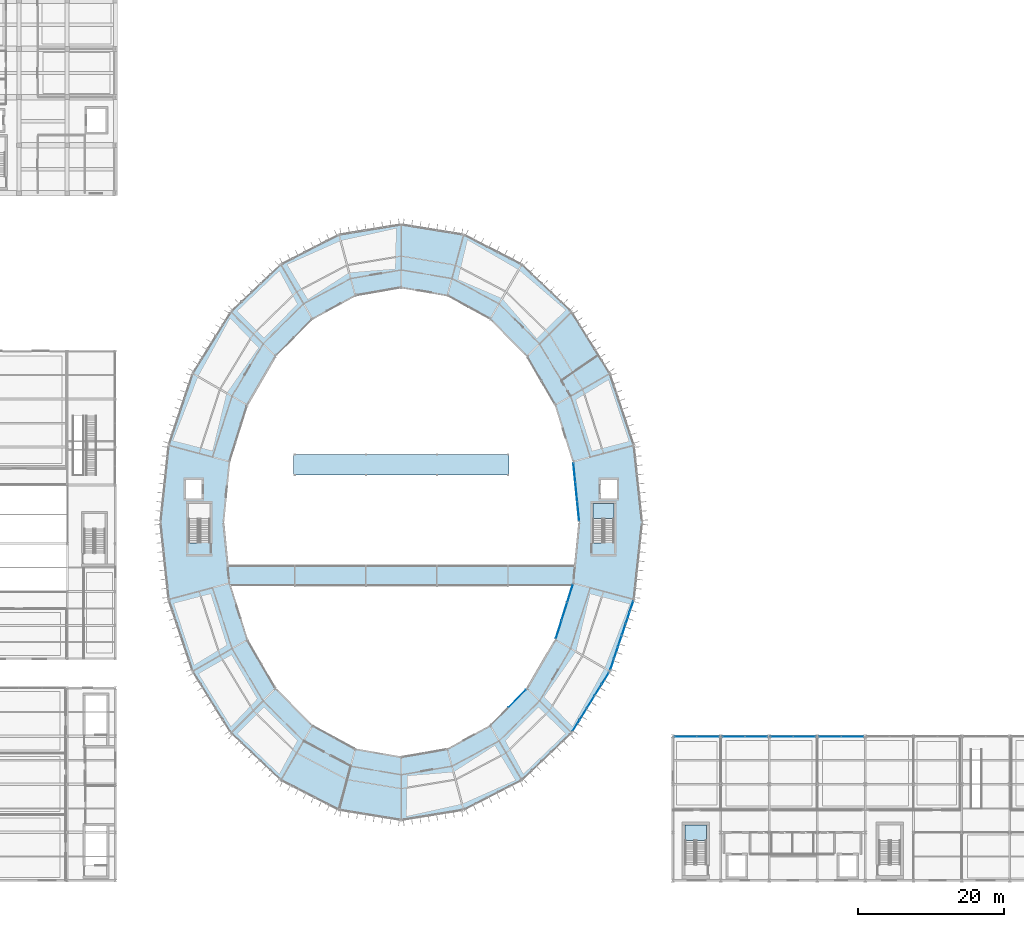
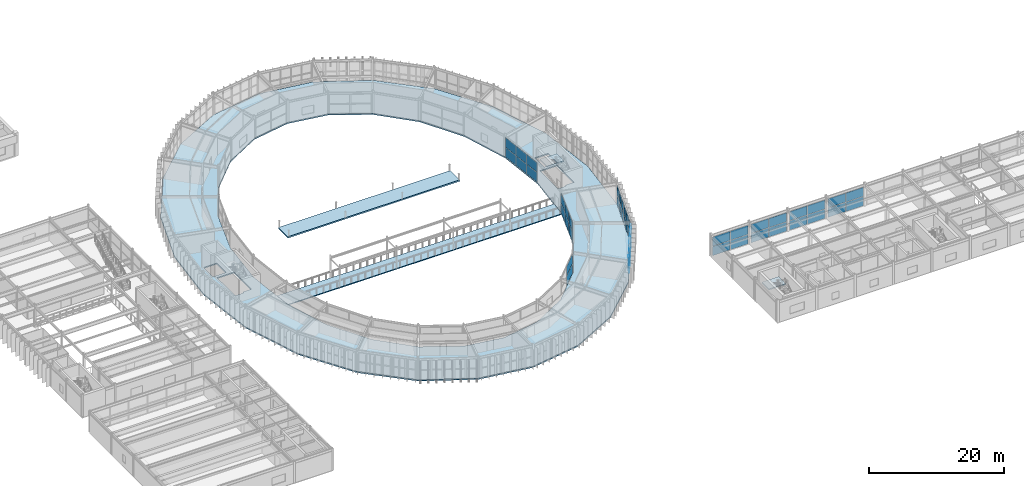
# One storey, part 102 of 147: 51 plates, 5 slabs, 11 elements without a shape of their own.
"""IFC4 building model written with IfcOpenShell, lengths in metres."""

from ifc_helpers import new_model, si_unit, direction, frame, origin, origin_2d, place, context, subcontext, project, spatial, polyline, rectangle, outline, extrude, material, layer, layer_set, type_object, element, aggregate, save


model = new_model("IFC4")

# Units and contexts
model_context = context("Model", 3, precision=1e-05, world=origin(), true_north=direction((0.0, 1.0)))
body_context = subcontext(model_context, "Body", "Model", "MODEL_VIEW")
ifc_project = project(units=[si_unit("LENGTHUNIT", "METRE"), si_unit("AREAUNIT", "SQUARE_METRE"), si_unit("VOLUMEUNIT", "CUBIC_METRE"), si_unit("PLANEANGLEUNIT", "RADIAN"), si_unit("MASSUNIT", "GRAM", prefix="KILO")], contexts=[model_context])

# Site, building, storey
site_placement = place(None, origin())
site = spatial("IfcSite", under=ifc_project, at=site_placement, CompositionType="ELEMENT")
building_placement = place(site_placement, origin())
building = spatial("IfcBuilding", under=site, at=building_placement, Name="Karori Crest Natural Sciences Institute", CompositionType="ELEMENT")
storey_placement = place(building_placement, frame((0.0, 0.0, 9.10009765625)))
storey = spatial("IfcBuildingStorey", under=building, at=storey_placement, Name="L02", CompositionType="ELEMENT", Elevation=9.10009765625)

# Curtain wall, plates
ifc_material_1 = material(Name="Anodised architectural aluminium 6063-T6", Category="aluminium")
curtain_wall_type_1 = type_object("IfcCurtainWallType", Name="CWT-11", PredefinedType="NOTDEFINED", material=ifc_material_1)
curtain_wall_1_placement = place(storey_placement, origin())
curtain_wall_1 = element("IfcCurtainWall", 1, at=curtain_wall_1_placement, inside=storey, type_object=curtain_wall_type_1, Name="Curtain wall CW-0066", PredefinedType="NOTDEFINED")
ifc_material_2 = material(Name="Double low-E laminated glass", Category="glass")
ifc_layer_1 = layer(ifc_material_2, 0.02392578125, Name="Double low-E laminated glass")
ifc_layer_set_1 = layer_set([ifc_layer_1], Name="Double low-E laminated glass")
plate_type_1 = type_object("IfcPlateType", Name="CWP-01", PredefinedType="CURTAIN_PANEL", material=ifc_layer_set_1)
plate_1_placement = place(storey_placement, frame((90.6494140625, 51.409423828125, 0.06005859375), z_axis=(0.0, 0.0, 1.0), x_axis=(-0.099264364295, 0.995061096607, 0.0)))
plate_1 = element("IfcPlate", 2, at=plate_1_placement, type_object=plate_type_1, Name="CW-0066 panel 1.1", PredefinedType="CURTAIN_PANEL", context=body_context, shape_type="SweptSolid", body=[
    extrude(rectangle(XDim=2.59130859375, YDim=0.02392578125, at=origin_2d()), origin(), (0.0, 0.0, 1.0), 1.735107421875),
])
plate_2_placement = place(storey_placement, frame((90.6494140625, 51.409423828125, 1.85498046875), z_axis=(0.0, 0.0, 1.0), x_axis=(-0.099264364295, 0.995061096607, 0.0)))
plate_2 = element("IfcPlate", 3, at=plate_2_placement, type_object=plate_type_1, Name="CW-0066 panel 1.2", PredefinedType="CURTAIN_PANEL", context=body_context, shape_type="SweptSolid", body=[
    extrude(rectangle(XDim=2.59130859375, YDim=0.02392578125, at=origin_2d()), origin(), (0.0, 0.0, 1.0), 1.735107421875),
])
plate_3_placement = place(storey_placement, frame((90.384033203125, 54.06884765625, 0.06005859375), z_axis=(0.0, 0.0, 1.0), x_axis=(-0.099264364295, 0.995061096607, 0.0)))
plate_3 = element("IfcPlate", 4, at=plate_3_placement, type_object=plate_type_1, Name="CW-0066 panel 2.1", PredefinedType="CURTAIN_PANEL", context=body_context, shape_type="SweptSolid", body=[
    extrude(rectangle(XDim=2.623779296875, YDim=0.02392578125, at=origin_2d()), origin(), (0.0, 0.0, 1.0), 1.735107421875),
])
plate_4_placement = place(storey_placement, frame((90.384033203125, 54.06884765625, 1.85498046875), z_axis=(0.0, 0.0, 1.0), x_axis=(-0.099264364295, 0.995061096607, 0.0)))
plate_4 = element("IfcPlate", 5, at=plate_4_placement, type_object=plate_type_1, Name="CW-0066 panel 2.2", PredefinedType="CURTAIN_PANEL", context=body_context, shape_type="SweptSolid", body=[
    extrude(rectangle(XDim=2.623779296875, YDim=0.02392578125, at=origin_2d()), origin(), (0.0, 0.0, 1.0), 1.735107421875),
])
plate_5_placement = place(storey_placement, frame((90.118896484375, 56.72802734375, 0.06005859375), z_axis=(0.0, 0.0, 1.0), x_axis=(-0.099264364295, 0.995061096607, 0.0)))
plate_5 = element("IfcPlate", 6, at=plate_5_placement, type_object=plate_type_1, Name="CW-0066 panel 3.1", PredefinedType="CURTAIN_PANEL", context=body_context, shape_type="SweptSolid", body=[
    extrude(rectangle(XDim=2.59130859375, YDim=0.02392578125, at=origin_2d()), origin(), (0.0, 0.0, 1.0), 1.735107421875),
])
plate_6_placement = place(storey_placement, frame((90.118896484375, 56.72802734375, 1.85498046875), z_axis=(0.0, 0.0, 1.0), x_axis=(-0.099264364295, 0.995061096607, 0.0)))
plate_6 = element("IfcPlate", 7, at=plate_6_placement, type_object=plate_type_1, Name="CW-0066 panel 3.2", PredefinedType="CURTAIN_PANEL", context=body_context, shape_type="SweptSolid", body=[
    extrude(rectangle(XDim=2.59130859375, YDim=0.02392578125, at=origin_2d()), origin(), (0.0, 0.0, 1.0), 1.735107421875),
])
aggregate(curtain_wall_1, [plate_1, plate_2, plate_3, plate_4, plate_5, plate_6])

curtain_wall_2_placement = place(storey_placement, origin())
curtain_wall_2 = element("IfcCurtainWall", 8, at=curtain_wall_2_placement, inside=storey, type_object=curtain_wall_type_1, Name="Curtain wall CW-0095", PredefinedType="NOTDEFINED")
plate_7_placement = place(storey_placement, frame((82.2880859375, 25.748779296875, 0.06005859375), z_axis=(0.0, 0.0, 1.0), x_axis=(0.70265631089, 0.71152941525, 0.0)))
plate_7 = element("IfcPlate", 9, at=plate_7_placement, type_object=plate_type_1, Name="CW-0095 panel 2.1", PredefinedType="CURTAIN_PANEL", context=body_context, shape_type="SweptSolid", body=[
    extrude(rectangle(XDim=3.322998046875, YDim=0.02392578125, at=origin_2d()), origin(), (0.0, 0.0, 1.0), 1.735107421875),
])
plate_8_placement = place(storey_placement, frame((82.2880859375, 25.748779296875, 1.85498046875), z_axis=(0.0, 0.0, 1.0), x_axis=(0.70265631089, 0.71152941525, 0.0)))
plate_8 = element("IfcPlate", 10, at=plate_8_placement, type_object=plate_type_1, Name="CW-0095 panel 2.2", PredefinedType="CURTAIN_PANEL", context=body_context, shape_type="SweptSolid", body=[
    extrude(rectangle(XDim=3.322998046875, YDim=0.02392578125, at=origin_2d()), origin(), (0.0, 0.0, 1.0), 1.735107421875),
])
aggregate(curtain_wall_2, [plate_7, plate_8])

curtain_wall_type_2 = type_object("IfcCurtainWallType", Name="CWT-02", PredefinedType="NOTDEFINED", material=ifc_material_1)
curtain_wall_3_placement = place(storey_placement, origin())
curtain_wall_3 = element("IfcCurtainWall", 11, at=curtain_wall_3_placement, inside=storey, type_object=curtain_wall_type_2, Name="Curtain wall CW-0096", PredefinedType="NOTDEFINED")
plate_9_placement = place(storey_placement, frame((94.37109375, 28.520751953125, 0.06005859375), z_axis=(0.0, 0.0, 1.0), x_axis=(-0.527327518853, -0.849662102168, 0.0)))
plate_9 = element("IfcPlate", 12, at=plate_9_placement, type_object=plate_type_1, Name="CW-0096 panel 1.1", PredefinedType="CURTAIN_PANEL", context=body_context, shape_type="SweptSolid", body=[
    extrude(rectangle(XDim=1.80322265625, YDim=0.02392578125, at=origin_2d()), origin(), (0.0, 0.0, 1.0), 1.722412109375),
])
plate_10_placement = place(storey_placement, frame((94.37109375, 28.520751953125, 1.84228515625), z_axis=(0.0, 0.0, 1.0), x_axis=(-0.527327518853, -0.849662102168, 0.0)))
plate_10 = element("IfcPlate", 13, at=plate_10_placement, type_object=plate_type_1, Name="CW-0096 panel 1.2", PredefinedType="CURTAIN_PANEL", context=body_context, shape_type="SweptSolid", body=[
    extrude(rectangle(XDim=1.80322265625, YDim=0.02392578125, at=origin_2d()), origin(), (0.0, 0.0, 1.0), 1.722412109375),
])
plate_11_placement = place(storey_placement, frame((93.370849609375, 26.908935546875, 0.06005859375), z_axis=(0.0, 0.0, 1.0), x_axis=(-0.527327518853, -0.849662102168, 0.0)))
plate_11 = element("IfcPlate", 14, at=plate_11_placement, type_object=plate_type_1, Name="CW-0096 panel 2.1", PredefinedType="CURTAIN_PANEL", context=body_context, shape_type="SweptSolid", body=[
    extrude(rectangle(XDim=1.8408203125, YDim=0.02392578125, at=origin_2d()), origin(), (0.0, 0.0, 1.0), 1.722412109375),
])
plate_12_placement = place(storey_placement, frame((93.370849609375, 26.908935546875, 1.84228515625), z_axis=(0.0, 0.0, 1.0), x_axis=(-0.527327518853, -0.849662102168, 0.0)))
plate_12 = element("IfcPlate", 15, at=plate_12_placement, type_object=plate_type_1, Name="CW-0096 panel 2.2", PredefinedType="CURTAIN_PANEL", context=body_context, shape_type="SweptSolid", body=[
    extrude(rectangle(XDim=1.8408203125, YDim=0.02392578125, at=origin_2d()), origin(), (0.0, 0.0, 1.0), 1.722412109375),
])
plate_13_placement = place(storey_placement, frame((92.360595703125, 25.28125, 0.06005859375), z_axis=(0.0, 0.0, 1.0), x_axis=(-0.527327518853, -0.849662102168, 0.0)))
plate_13 = element("IfcPlate", 16, at=plate_13_placement, type_object=plate_type_1, Name="CW-0096 panel 3.1", PredefinedType="CURTAIN_PANEL", context=body_context, shape_type="SweptSolid", body=[
    extrude(rectangle(XDim=1.8408203125, YDim=0.02392578125, at=origin_2d()), origin(), (0.0, 0.0, 1.0), 1.722412109375),
])
plate_14_placement = place(storey_placement, frame((92.360595703125, 25.28125, 1.84228515625), z_axis=(0.0, 0.0, 1.0), x_axis=(-0.527327518853, -0.849662102168, 0.0)))
plate_14 = element("IfcPlate", 17, at=plate_14_placement, type_object=plate_type_1, Name="CW-0096 panel 3.2", PredefinedType="CURTAIN_PANEL", context=body_context, shape_type="SweptSolid", body=[
    extrude(rectangle(XDim=1.8408203125, YDim=0.02392578125, at=origin_2d()), origin(), (0.0, 0.0, 1.0), 1.722412109375),
])
plate_15_placement = place(storey_placement, frame((91.350341796875, 23.6533203125, 0.06005859375), z_axis=(0.0, 0.0, 1.0), x_axis=(-0.527327518853, -0.849662102168, 0.0)))
plate_15 = element("IfcPlate", 18, at=plate_15_placement, type_object=plate_type_1, Name="CW-0096 panel 4.1", PredefinedType="CURTAIN_PANEL", context=body_context, shape_type="SweptSolid", body=[
    extrude(rectangle(XDim=1.8408203125, YDim=0.02392578125, at=origin_2d()), origin(), (0.0, 0.0, 1.0), 1.722412109375),
])
plate_16_placement = place(storey_placement, frame((91.350341796875, 23.6533203125, 1.84228515625), z_axis=(0.0, 0.0, 1.0), x_axis=(-0.527327518853, -0.849662102168, 0.0)))
plate_16 = element("IfcPlate", 19, at=plate_16_placement, type_object=plate_type_1, Name="CW-0096 panel 4.2", PredefinedType="CURTAIN_PANEL", context=body_context, shape_type="SweptSolid", body=[
    extrude(rectangle(XDim=1.8408203125, YDim=0.02392578125, at=origin_2d()), origin(), (0.0, 0.0, 1.0), 1.722412109375),
])
plate_17_placement = place(storey_placement, frame((90.349853515625, 22.04150390625, 1.84228515625), z_axis=(0.0, 0.0, 1.0), x_axis=(-0.527327518853, -0.849662102168, 0.0)))
plate_17 = element("IfcPlate", 20, at=plate_17_placement, type_object=plate_type_1, Name="CW-0096 panel 5.2", PredefinedType="CURTAIN_PANEL", context=body_context, shape_type="SweptSolid", body=[
    extrude(rectangle(XDim=1.80322265625, YDim=0.02392578125, at=origin_2d()), origin(), (0.0, 0.0, 1.0), 1.722412109375),
])
aggregate(curtain_wall_3, [plate_9, plate_10, plate_11, plate_12, plate_13, plate_14, plate_15, plate_16, plate_17])

curtain_wall_type_3 = type_object("IfcCurtainWallType", Name="CWT-13", PredefinedType="NOTDEFINED", material=ifc_material_1)
curtain_wall_4_placement = place(storey_placement, origin())
curtain_wall_4 = element("IfcCurtainWall", 21, at=curtain_wall_4_placement, inside=storey, type_object=curtain_wall_type_3, Name="Curtain wall CW-0098", PredefinedType="NOTDEFINED")
plate_18_placement = place(storey_placement, frame((87.97509765625, 35.215087890625, 0.06005859375), z_axis=(0.0, 0.0, 1.0), x_axis=(0.2994765864, 0.954103649609, 0.0)))
plate_18 = element("IfcPlate", 22, at=plate_18_placement, type_object=plate_type_1, Name="CW-0098 panel 1.1", PredefinedType="CURTAIN_PANEL", context=body_context, shape_type="SweptSolid", body=[
    extrude(rectangle(XDim=2.517822265625, YDim=0.02392578125, at=origin_2d()), origin(), (0.0, 0.0, 1.0), 1.735107421875),
])
plate_19_placement = place(storey_placement, frame((87.97509765625, 35.215087890625, 1.85498046875), z_axis=(0.0, 0.0, 1.0), x_axis=(0.2994765864, 0.954103649609, 0.0)))
plate_19 = element("IfcPlate", 23, at=plate_19_placement, type_object=plate_type_1, Name="CW-0098 panel 1.2", PredefinedType="CURTAIN_PANEL", context=body_context, shape_type="SweptSolid", body=[
    extrude(rectangle(XDim=2.517822265625, YDim=0.02392578125, at=origin_2d()), origin(), (0.0, 0.0, 1.0), 1.735107421875),
])
plate_20_placement = place(storey_placement, frame((88.75341796875, 37.69482421875, 0.06005859375), z_axis=(0.0, 0.0, 1.0), x_axis=(0.2994765864, 0.954103649609, 0.0)))
plate_20 = element("IfcPlate", 24, at=plate_20_placement, type_object=plate_type_1, Name="CW-0098 panel 2.1", PredefinedType="CURTAIN_PANEL", context=body_context, shape_type="SweptSolid", body=[
    extrude(rectangle(XDim=2.55029296875, YDim=0.02392578125, at=origin_2d()), origin(), (0.0, 0.0, 1.0), 1.735107421875),
])
plate_21_placement = place(storey_placement, frame((88.75341796875, 37.69482421875, 1.85498046875), z_axis=(0.0, 0.0, 1.0), x_axis=(0.2994765864, 0.954103649609, 0.0)))
plate_21 = element("IfcPlate", 25, at=plate_21_placement, type_object=plate_type_1, Name="CW-0098 panel 2.2", PredefinedType="CURTAIN_PANEL", context=body_context, shape_type="SweptSolid", body=[
    extrude(rectangle(XDim=2.55029296875, YDim=0.02392578125, at=origin_2d()), origin(), (0.0, 0.0, 1.0), 1.735107421875),
])
plate_22_placement = place(storey_placement, frame((89.53173828125, 40.174560546875, 0.06005859375), z_axis=(0.0, 0.0, 1.0), x_axis=(0.2994765864, 0.954103649609, 0.0)))
plate_22 = element("IfcPlate", 26, at=plate_22_placement, type_object=plate_type_1, Name="CW-0098 panel 3.1", PredefinedType="CURTAIN_PANEL", context=body_context, shape_type="SweptSolid", body=[
    extrude(rectangle(XDim=2.517822265625, YDim=0.02392578125, at=origin_2d()), origin(), (0.0, 0.0, 1.0), 1.735107421875),
])
plate_23_placement = place(storey_placement, frame((89.53173828125, 40.174560546875, 1.85498046875), z_axis=(0.0, 0.0, 1.0), x_axis=(0.2994765864, 0.954103649609, 0.0)))
plate_23 = element("IfcPlate", 27, at=plate_23_placement, type_object=plate_type_1, Name="CW-0098 panel 3.2", PredefinedType="CURTAIN_PANEL", context=body_context, shape_type="SweptSolid", body=[
    extrude(rectangle(XDim=2.517822265625, YDim=0.02392578125, at=origin_2d()), origin(), (0.0, 0.0, 1.0), 1.735107421875),
])
aggregate(curtain_wall_4, [plate_18, plate_19, plate_20, plate_21, plate_22, plate_23])

curtain_wall_type_4 = type_object("IfcCurtainWallType", Name="CWT-20", PredefinedType="NOTDEFINED", material=ifc_material_1)
curtain_wall_5_placement = place(storey_placement, origin())
curtain_wall_5 = element("IfcCurtainWall", 28, at=curtain_wall_5_placement, inside=storey, type_object=curtain_wall_type_4, Name="Curtain wall CW-0313", PredefinedType="NOTDEFINED")
plate_24_placement = place(storey_placement, frame((105.365234375, 20.5400390625, 0.059814453125), z_axis=(0.0, 0.0, 1.0), x_axis=(1.0, 0.0, 0.0)))
plate_24 = element("IfcPlate", 29, at=plate_24_placement, type_object=plate_type_1, Name="CW-0313 panel 1.1", PredefinedType="CURTAIN_PANEL", context=body_context, shape_type="SweptSolid", body=[
    extrude(rectangle(XDim=3.00439453125, YDim=0.02392578125, at=origin_2d()), origin(), (0.0, 0.0, 1.0), 1.66259765625),
])
plate_25_placement = place(storey_placement, frame((105.365234375, 20.5400390625, 1.782470703125), z_axis=(0.0, 0.0, 1.0), x_axis=(1.0, 0.0, 0.0)))
plate_25 = element("IfcPlate", 30, at=plate_25_placement, type_object=plate_type_1, Name="CW-0313 panel 1.2", PredefinedType="CURTAIN_PANEL", context=body_context, shape_type="SweptSolid", body=[
    extrude(rectangle(XDim=3.00439453125, YDim=0.02392578125, at=origin_2d()), origin(), (0.0, 0.0, 1.0), 1.66259765625),
])
plate_26_placement = place(storey_placement, frame((108.434814453125, 20.5400390625, 0.059814453125), z_axis=(0.0, 0.0, 1.0), x_axis=(1.0, 0.0, 0.0)))
plate_26 = element("IfcPlate", 31, at=plate_26_placement, type_object=plate_type_1, Name="CW-0313 panel 2.1", PredefinedType="CURTAIN_PANEL", context=body_context, shape_type="SweptSolid", body=[
    extrude(rectangle(XDim=3.00439453125, YDim=0.02392578125, at=origin_2d()), origin(), (0.0, 0.0, 1.0), 1.66259765625),
])
plate_27_placement = place(storey_placement, frame((108.434814453125, 20.5400390625, 1.782470703125), z_axis=(0.0, 0.0, 1.0), x_axis=(1.0, 0.0, 0.0)))
plate_27 = element("IfcPlate", 32, at=plate_27_placement, type_object=plate_type_1, Name="CW-0313 panel 2.2", PredefinedType="CURTAIN_PANEL", context=body_context, shape_type="SweptSolid", body=[
    extrude(rectangle(XDim=3.00439453125, YDim=0.02392578125, at=origin_2d()), origin(), (0.0, 0.0, 1.0), 1.66259765625),
])
aggregate(curtain_wall_5, [plate_24, plate_25, plate_26, plate_27])

curtain_wall_6_placement = place(storey_placement, origin())
curtain_wall_6 = element("IfcCurtainWall", 33, at=curtain_wall_6_placement, inside=storey, type_object=curtain_wall_type_4, Name="Curtain wall CW-0314", PredefinedType="NOTDEFINED")
plate_28_placement = place(storey_placement, frame((111.96533203125, 20.5400390625, 0.059814453125), z_axis=(0.0, 0.0, 1.0), x_axis=(1.0, 0.0, 0.0)))
plate_28 = element("IfcPlate", 34, at=plate_28_placement, type_object=plate_type_1, Name="CW-0314 panel 1.1", PredefinedType="CURTAIN_PANEL", context=body_context, shape_type="SweptSolid", body=[
    extrude(rectangle(XDim=3.00439453125, YDim=0.02392578125, at=origin_2d()), origin(), (0.0, 0.0, 1.0), 1.66259765625),
])
plate_29_placement = place(storey_placement, frame((111.96533203125, 20.5400390625, 1.782470703125), z_axis=(0.0, 0.0, 1.0), x_axis=(1.0, 0.0, 0.0)))
plate_29 = element("IfcPlate", 35, at=plate_29_placement, type_object=plate_type_1, Name="CW-0314 panel 1.2", PredefinedType="CURTAIN_PANEL", context=body_context, shape_type="SweptSolid", body=[
    extrude(rectangle(XDim=3.00439453125, YDim=0.02392578125, at=origin_2d()), origin(), (0.0, 0.0, 1.0), 1.66259765625),
])
plate_30_placement = place(storey_placement, frame((115.03466796875, 20.5400390625, 0.059814453125), z_axis=(0.0, 0.0, 1.0), x_axis=(1.0, 0.0, 0.0)))
plate_30 = element("IfcPlate", 36, at=plate_30_placement, type_object=plate_type_1, Name="CW-0314 panel 2.1", PredefinedType="CURTAIN_PANEL", context=body_context, shape_type="SweptSolid", body=[
    extrude(rectangle(XDim=3.00439453125, YDim=0.02392578125, at=origin_2d()), origin(), (0.0, 0.0, 1.0), 1.66259765625),
])
plate_31_placement = place(storey_placement, frame((115.03466796875, 20.5400390625, 1.782470703125), z_axis=(0.0, 0.0, 1.0), x_axis=(1.0, 0.0, 0.0)))
plate_31 = element("IfcPlate", 37, at=plate_31_placement, type_object=plate_type_1, Name="CW-0314 panel 2.2", PredefinedType="CURTAIN_PANEL", context=body_context, shape_type="SweptSolid", body=[
    extrude(rectangle(XDim=3.00439453125, YDim=0.02392578125, at=origin_2d()), origin(), (0.0, 0.0, 1.0), 1.66259765625),
])
aggregate(curtain_wall_6, [plate_28, plate_29, plate_30, plate_31])

curtain_wall_7_placement = place(storey_placement, origin())
curtain_wall_7 = element("IfcCurtainWall", 38, at=curtain_wall_7_placement, inside=storey, type_object=curtain_wall_type_4, Name="Curtain wall CW-0315", PredefinedType="NOTDEFINED")
plate_32_placement = place(storey_placement, frame((118.565185546875, 20.5400390625, 0.059814453125), z_axis=(0.0, 0.0, 1.0), x_axis=(1.0, 0.0, 0.0)))
plate_32 = element("IfcPlate", 39, at=plate_32_placement, type_object=plate_type_1, Name="CW-0315 panel 1.1", PredefinedType="CURTAIN_PANEL", context=body_context, shape_type="SweptSolid", body=[
    extrude(rectangle(XDim=3.00439453125, YDim=0.02392578125, at=origin_2d()), origin(), (0.0, 0.0, 1.0), 1.66259765625),
])
plate_33_placement = place(storey_placement, frame((118.565185546875, 20.5400390625, 1.782470703125), z_axis=(0.0, 0.0, 1.0), x_axis=(1.0, 0.0, 0.0)))
plate_33 = element("IfcPlate", 40, at=plate_33_placement, type_object=plate_type_1, Name="CW-0315 panel 1.2", PredefinedType="CURTAIN_PANEL", context=body_context, shape_type="SweptSolid", body=[
    extrude(rectangle(XDim=3.00439453125, YDim=0.02392578125, at=origin_2d()), origin(), (0.0, 0.0, 1.0), 1.66259765625),
])
plate_34_placement = place(storey_placement, frame((121.634765625, 20.5400390625, 0.059814453125), z_axis=(0.0, 0.0, 1.0), x_axis=(1.0, 0.0, 0.0)))
plate_34 = element("IfcPlate", 41, at=plate_34_placement, type_object=plate_type_1, Name="CW-0315 panel 2.1", PredefinedType="CURTAIN_PANEL", context=body_context, shape_type="SweptSolid", body=[
    extrude(rectangle(XDim=3.00439453125, YDim=0.02392578125, at=origin_2d()), origin(), (0.0, 0.0, 1.0), 1.66259765625),
])
plate_35_placement = place(storey_placement, frame((121.634765625, 20.5400390625, 1.782470703125), z_axis=(0.0, 0.0, 1.0), x_axis=(1.0, 0.0, 0.0)))
plate_35 = element("IfcPlate", 42, at=plate_35_placement, type_object=plate_type_1, Name="CW-0315 panel 2.2", PredefinedType="CURTAIN_PANEL", context=body_context, shape_type="SweptSolid", body=[
    extrude(rectangle(XDim=3.00439453125, YDim=0.02392578125, at=origin_2d()), origin(), (0.0, 0.0, 1.0), 1.66259765625),
])
aggregate(curtain_wall_7, [plate_32, plate_33, plate_34, plate_35])

curtain_wall_8_placement = place(storey_placement, origin())
curtain_wall_8 = element("IfcCurtainWall", 43, at=curtain_wall_8_placement, inside=storey, type_object=curtain_wall_type_4, Name="Curtain wall CW-0316", PredefinedType="NOTDEFINED")
plate_36_placement = place(storey_placement, frame((125.165283203125, 20.5400390625, 0.059814453125), z_axis=(0.0, 0.0, 1.0), x_axis=(1.0, 0.0, 0.0)))
plate_36 = element("IfcPlate", 44, at=plate_36_placement, type_object=plate_type_1, Name="CW-0316 panel 1.1", PredefinedType="CURTAIN_PANEL", context=body_context, shape_type="SweptSolid", body=[
    extrude(rectangle(XDim=3.00439453125, YDim=0.02392578125, at=origin_2d()), origin(), (0.0, 0.0, 1.0), 1.66259765625),
])
plate_37_placement = place(storey_placement, frame((125.165283203125, 20.5400390625, 1.782470703125), z_axis=(0.0, 0.0, 1.0), x_axis=(1.0, 0.0, 0.0)))
plate_37 = element("IfcPlate", 45, at=plate_37_placement, type_object=plate_type_1, Name="CW-0316 panel 1.2", PredefinedType="CURTAIN_PANEL", context=body_context, shape_type="SweptSolid", body=[
    extrude(rectangle(XDim=3.00439453125, YDim=0.02392578125, at=origin_2d()), origin(), (0.0, 0.0, 1.0), 1.66259765625),
])
plate_38_placement = place(storey_placement, frame((128.23486328125, 20.5400390625, 0.059814453125), z_axis=(0.0, 0.0, 1.0), x_axis=(1.0, 0.0, 0.0)))
plate_38 = element("IfcPlate", 46, at=plate_38_placement, type_object=plate_type_1, Name="CW-0316 panel 2.1", PredefinedType="CURTAIN_PANEL", context=body_context, shape_type="SweptSolid", body=[
    extrude(rectangle(XDim=3.00439453125, YDim=0.02392578125, at=origin_2d()), origin(), (0.0, 0.0, 1.0), 1.66259765625),
])
plate_39_placement = place(storey_placement, frame((128.23486328125, 20.5400390625, 1.782470703125), z_axis=(0.0, 0.0, 1.0), x_axis=(1.0, 0.0, 0.0)))
plate_39 = element("IfcPlate", 47, at=plate_39_placement, type_object=plate_type_1, Name="CW-0316 panel 2.2", PredefinedType="CURTAIN_PANEL", context=body_context, shape_type="SweptSolid", body=[
    extrude(rectangle(XDim=3.00439453125, YDim=0.02392578125, at=origin_2d()), origin(), (0.0, 0.0, 1.0), 1.66259765625),
])
aggregate(curtain_wall_8, [plate_36, plate_37, plate_38, plate_39])

curtain_wall_type_5 = type_object("IfcCurtainWallType", Name="CWT-03", PredefinedType="NOTDEFINED", material=ifc_material_1)
curtain_wall_9_placement = place(storey_placement, origin())
curtain_wall_9 = element("IfcCurtainWall", 48, at=curtain_wall_9_placement, inside=storey, type_object=curtain_wall_type_5, Name="Curtain wall CW-0097", PredefinedType="NOTDEFINED")
ifc_layer_2 = layer(ifc_material_2, 0.033935546875, Name="Double low-E laminated glass")
ifc_layer_set_2 = layer_set([ifc_layer_2], Name="Double low-E laminated glass")
plate_type_2 = type_object("IfcPlateType", Name="CWP-02", PredefinedType="CURTAIN_PANEL", material=ifc_layer_set_2)
plate_40_placement = place(storey_placement, frame((97.952880859375, 38.377197265625, 0.06494140625), z_axis=(0.0, 0.0, 1.0), x_axis=(-0.317685267462, -0.948196219586, 0.0)))
plate_40 = element("IfcPlate", 49, at=plate_40_placement, type_object=plate_type_2, Name="CW-0097 panel 1.1", PredefinedType="CURTAIN_PANEL", context=body_context, shape_type="SweptSolid", body=[
    extrude(rectangle(XDim=1.561279296875, YDim=0.033935546875, at=origin_2d()), origin(), (0.0, 0.0, 1.0), 1.715087890625),
])
plate_41_placement = place(storey_placement, frame((97.952880859375, 38.377197265625, 1.8447265625), z_axis=(0.0, 0.0, 1.0), x_axis=(-0.317685267462, -0.948196219586, 0.0)))
plate_41 = element("IfcPlate", 50, at=plate_41_placement, type_object=plate_type_2, Name="CW-0097 panel 1.2", PredefinedType="CURTAIN_PANEL", context=body_context, shape_type="SweptSolid", body=[
    extrude(rectangle(XDim=1.561279296875, YDim=0.033935546875, at=origin_2d()), origin(), (0.0, 0.0, 1.0), 1.715087890625),
])
plate_42_placement = place(storey_placement, frame((97.42724609375, 36.80810546875, 0.06494140625), z_axis=(0.0, 0.0, 1.0), x_axis=(-0.317685267462, -0.948196219586, 0.0)))
plate_42 = element("IfcPlate", 51, at=plate_42_placement, type_object=plate_type_2, Name="CW-0097 panel 2.1", PredefinedType="CURTAIN_PANEL", context=body_context, shape_type="SweptSolid", body=[
    extrude(rectangle(XDim=1.5986328125, YDim=0.033935546875, at=origin_2d()), origin(), (0.0, 0.0, 1.0), 1.715087890625),
])
plate_43_placement = place(storey_placement, frame((97.42724609375, 36.80810546875, 1.8447265625), z_axis=(0.0, 0.0, 1.0), x_axis=(-0.317685267462, -0.948196219586, 0.0)))
plate_43 = element("IfcPlate", 52, at=plate_43_placement, type_object=plate_type_2, Name="CW-0097 panel 2.2", PredefinedType="CURTAIN_PANEL", context=body_context, shape_type="SweptSolid", body=[
    extrude(rectangle(XDim=1.5986328125, YDim=0.033935546875, at=origin_2d()), origin(), (0.0, 0.0, 1.0), 1.715087890625),
])
plate_44_placement = place(storey_placement, frame((96.8955078125, 35.22119140625, 0.06494140625), z_axis=(0.0, 0.0, 1.0), x_axis=(-0.317685267462, -0.948196219586, 0.0)))
plate_44 = element("IfcPlate", 53, at=plate_44_placement, type_object=plate_type_2, Name="CW-0097 panel 3.1", PredefinedType="CURTAIN_PANEL", context=body_context, shape_type="SweptSolid", body=[
    extrude(rectangle(XDim=1.5986328125, YDim=0.033935546875, at=origin_2d()), origin(), (0.0, 0.0, 1.0), 1.715087890625),
])
plate_45_placement = place(storey_placement, frame((96.8955078125, 35.22119140625, 1.8447265625), z_axis=(0.0, 0.0, 1.0), x_axis=(-0.317685267462, -0.948196219586, 0.0)))
plate_45 = element("IfcPlate", 54, at=plate_45_placement, type_object=plate_type_2, Name="CW-0097 panel 3.2", PredefinedType="CURTAIN_PANEL", context=body_context, shape_type="SweptSolid", body=[
    extrude(rectangle(XDim=1.5986328125, YDim=0.033935546875, at=origin_2d()), origin(), (0.0, 0.0, 1.0), 1.715087890625),
])
plate_46_placement = place(storey_placement, frame((96.36376953125, 33.634033203125, 0.06494140625), z_axis=(0.0, 0.0, 1.0), x_axis=(-0.317685267462, -0.948196219586, 0.0)))
plate_46 = element("IfcPlate", 55, at=plate_46_placement, type_object=plate_type_2, Name="CW-0097 panel 4.1", PredefinedType="CURTAIN_PANEL", context=body_context, shape_type="SweptSolid", body=[
    extrude(rectangle(XDim=1.5986328125, YDim=0.033935546875, at=origin_2d()), origin(), (0.0, 0.0, 1.0), 1.715087890625),
])
plate_47_placement = place(storey_placement, frame((96.36376953125, 33.634033203125, 1.8447265625), z_axis=(0.0, 0.0, 1.0), x_axis=(-0.317685267462, -0.948196219586, 0.0)))
plate_47 = element("IfcPlate", 56, at=plate_47_placement, type_object=plate_type_2, Name="CW-0097 panel 4.2", PredefinedType="CURTAIN_PANEL", context=body_context, shape_type="SweptSolid", body=[
    extrude(rectangle(XDim=1.5986328125, YDim=0.033935546875, at=origin_2d()), origin(), (0.0, 0.0, 1.0), 1.715087890625),
])
plate_48_placement = place(storey_placement, frame((95.83203125, 32.047119140625, 0.06494140625), z_axis=(0.0, 0.0, 1.0), x_axis=(-0.317685267462, -0.948196219586, 0.0)))
plate_48 = element("IfcPlate", 57, at=plate_48_placement, type_object=plate_type_2, Name="CW-0097 panel 5.1", PredefinedType="CURTAIN_PANEL", context=body_context, shape_type="SweptSolid", body=[
    extrude(rectangle(XDim=1.5986328125, YDim=0.033935546875, at=origin_2d()), origin(), (0.0, 0.0, 1.0), 1.715087890625),
])
plate_49_placement = place(storey_placement, frame((95.83203125, 32.047119140625, 1.8447265625), z_axis=(0.0, 0.0, 1.0), x_axis=(-0.317685267462, -0.948196219586, 0.0)))
plate_49 = element("IfcPlate", 58, at=plate_49_placement, type_object=plate_type_2, Name="CW-0097 panel 5.2", PredefinedType="CURTAIN_PANEL", context=body_context, shape_type="SweptSolid", body=[
    extrude(rectangle(XDim=1.5986328125, YDim=0.033935546875, at=origin_2d()), origin(), (0.0, 0.0, 1.0), 1.715087890625),
])
plate_50_placement = place(storey_placement, frame((95.306396484375, 30.47802734375, 0.06494140625), z_axis=(0.0, 0.0, 1.0), x_axis=(-0.317685267462, -0.948196219586, 0.0)))
plate_50 = element("IfcPlate", 59, at=plate_50_placement, type_object=plate_type_2, Name="CW-0097 panel 6.1", PredefinedType="CURTAIN_PANEL", context=body_context, shape_type="SweptSolid", body=[
    extrude(rectangle(XDim=1.561279296875, YDim=0.033935546875, at=origin_2d()), origin(), (0.0, 0.0, 1.0), 1.715087890625),
])
plate_51_placement = place(storey_placement, frame((95.306396484375, 30.47802734375, 1.8447265625), z_axis=(0.0, 0.0, 1.0), x_axis=(-0.317685267462, -0.948196219586, 0.0)))
plate_51 = element("IfcPlate", 60, at=plate_51_placement, type_object=plate_type_2, Name="CW-0097 panel 6.2", PredefinedType="CURTAIN_PANEL", context=body_context, shape_type="SweptSolid", body=[
    extrude(rectangle(XDim=1.561279296875, YDim=0.033935546875, at=origin_2d()), origin(), (0.0, 0.0, 1.0), 1.715087890625),
])
aggregate(curtain_wall_9, [plate_40, plate_41, plate_42, plate_43, plate_44, plate_45, plate_46, plate_47, plate_48, plate_49, plate_50, plate_51])

# Slabs
ifc_material_3 = material(Name="Concrete 40 MPa", Category="concrete")
ifc_layer_3 = layer(ifc_material_3, 0.219970703125, Name="Concrete 40 MPa")
ifc_layer_set_3 = layer_set([ifc_layer_3], Name="Concrete 40 MPa")
slab_type_1 = type_object("IfcSlabType", Name="SLT-07", PredefinedType="FLOOR", material=ifc_layer_set_3)
slab_1_placement = place(storey_placement, frame((0.0, 0.0, -0.22021484375)))
element("IfcSlab", 61, at=slab_1_placement, inside=storey, type_object=slab_type_1, Name="V1 Slab SL-0004", PredefinedType="FLOOR", context=body_context, shape_type="SweptSolid", body=[
    extrude(outline(polyline([(99.39990234375, 49.89990234375), (98.275634765625, 60.459716796875), (94.978759765625, 70.300048828125), (89.734619140625, 78.75), (82.89990234375, 85.23388671875), (74.94091796875, 89.309814453125), (66.39990234375, 90.699951171875), (57.85888671875, 89.309814453125), (49.89990234375, 85.23388671875), (43.0654296875, 78.75), (37.8212890625, 70.300048828125), (34.5244140625, 60.459716796875), (33.39990234375, 49.89990234375), (34.5244140625, 39.340087890625), (37.8212890625, 29.5), (43.0654296875, 21.050048828125), (49.89990234375, 14.566162109375), (57.85888671875, 10.490234375), (66.39990234375, 9.10009765625), (74.94091796875, 10.490234375), (82.89990234375, 14.566162109375), (89.734619140625, 21.050048828125), (94.978759765625, 29.5), (98.275634765625, 39.340087890625), (99.39990234375, 49.89990234375)]), holes=[polyline([(89.968505859375, 41.56591796875), (87.531005859375, 33.800048828125), (83.6533203125, 27.131103515625), (78.60009765625, 22.013916015625), (72.715087890625, 18.797119140625), (66.39990234375, 17.699951171875), (60.084716796875, 18.797119140625), (54.199951171875, 22.013916015625), (49.146484375, 27.131103515625), (45.26904296875, 33.800048828125), (42.831298828125, 41.56591796875), (42.0, 49.89990234375), (42.831298828125, 58.23388671875), (45.26904296875, 66.0), (49.146484375, 72.668701171875), (54.199951171875, 77.785888671875), (60.084716796875, 81.002685546875), (66.39990234375, 82.10009765625), (72.715087890625, 81.002685546875), (78.60009765625, 77.785888671875), (83.6533203125, 72.668701171875), (87.531005859375, 66.0), (89.968505859375, 58.23388671875), (90.800048828125, 49.89990234375), (89.968505859375, 41.56591796875)]), polyline([(95.550048828125, 47.3798828125), (94.10009765625, 47.3798828125), (94.10009765625, 47.1005859375), (92.64990234375, 47.1005859375), (92.64990234375, 52.5), (95.550048828125, 52.5), (95.550048828125, 47.3798828125)]), polyline([(40.14990234375, 47.3798828125), (38.699951171875, 47.3798828125), (38.699951171875, 47.1005859375), (37.25, 47.1005859375), (37.25, 52.5), (40.14990234375, 52.5), (40.14990234375, 47.3798828125)]), polyline([(93.72509765625, 55.77490234375), (95.97509765625, 55.77490234375), (95.97509765625, 53.02490234375), (93.72509765625, 53.02490234375), (93.72509765625, 55.77490234375)]), polyline([(36.824951171875, 55.77490234375), (39.074951171875, 55.77490234375), (39.074951171875, 53.02490234375), (36.824951171875, 53.02490234375), (36.824951171875, 55.77490234375)])]), origin(), (0.0, 0.0, 1.0), 0.22021484375),
])
ifc_layer_4 = layer(ifc_material_3, 0.159912109375, Name="Concrete 40 MPa")
ifc_layer_set_4 = layer_set([ifc_layer_4], Name="Concrete 40 MPa")
slab_type_2 = type_object("IfcSlabType", Name="SLT-10", PredefinedType="FLOOR", material=ifc_layer_set_4)
slab_2_placement = place(storey_placement, frame((0.0, 0.0, -0.16015625)))
element("IfcSlab", 62, at=slab_2_placement, inside=storey, type_object=slab_type_2, Name="V1-BR Slab SL-0107", PredefinedType="FLOOR", context=body_context, shape_type="SweptSolid", body=[
    extrude(outline(polyline([(42.5966796875, 44.0), (42.83935546875, 41.567626953125), (42.95458984375, 41.199951171875), (89.84521484375, 41.199951171875), (89.960693359375, 41.567626953125), (90.203369140625, 44.0), (42.5966796875, 44.0)])), origin(), (0.0, 0.0, 1.0), 0.16015625),
])

# Stair, slab
stair_type = type_object("IfcStairType", Name="STT-01", PredefinedType="HALF_TURN_STAIR", material=ifc_material_3)
stair_1_placement = place(storey_placement, origin())
stair_1 = element("IfcStair", 63, at=stair_1_placement, inside=storey, type_object=stair_type, Name="Protected stair ST-01-L02", PredefinedType="HALF_TURN_STAIR")
ifc_layer_5 = layer(ifc_material_3, 0.2099609375, Name="Concrete 40 MPa")
ifc_layer_set_5 = layer_set([ifc_layer_5], Name="Concrete 40 MPa")
slab_type_3 = type_object("IfcSlabType", Name="SLT-11", PredefinedType="LANDING", material=ifc_layer_set_5)
slab_3_placement = place(storey_placement, frame((0.0, 0.0, 1.889892578125)))
slab_3 = element("IfcSlab", 64, at=slab_3_placement, type_object=slab_type_3, Name="ST-01-L02 landing 1", PredefinedType="LANDING", context=body_context, shape_type="SweptSolid", body=[
    extrude(outline(polyline([(95.550048828125, 50.39990234375), (95.550048828125, 52.5), (92.64990234375, 52.5), (92.64990234375, 50.39990234375), (95.550048828125, 50.39990234375)])), origin(), (0.0, 0.0, 1.0), 0.2099609375),
])
aggregate(stair_1, [slab_3])

stair_2_placement = place(storey_placement, origin())
stair_2 = element("IfcStair", 65, at=stair_2_placement, inside=storey, type_object=stair_type, Name="Protected stair ST-03-L02", PredefinedType="HALF_TURN_STAIR")
slab_4_placement = place(storey_placement, frame((0.0, 0.0, 1.889892578125)))
slab_4 = element("IfcSlab", 66, at=slab_4_placement, type_object=slab_type_3, Name="ST-03-L02 landing 1", PredefinedType="LANDING", context=body_context, shape_type="SweptSolid", body=[
    extrude(outline(polyline([(108.199951171875, 6.300048828125), (108.199951171875, 8.39990234375), (105.300048828125, 8.39990234375), (105.300048828125, 6.300048828125), (108.199951171875, 6.300048828125)])), origin(), (0.0, 0.0, 1.0), 0.2099609375),
])
aggregate(stair_2, [slab_4])

# Slab
ifc_layer_6 = layer(ifc_material_3, 0.25, Name="Concrete 40 MPa")
ifc_layer_set_6 = layer_set([ifc_layer_6], Name="Concrete 40 MPa")
slab_type_4 = type_object("IfcSlabType", Name="SLT-13", PredefinedType="ROOF", material=ifc_layer_set_6)
slab_5_placement = place(storey_placement, frame((0.0, 0.0, -0.25)))
element("IfcSlab", 67, at=slab_5_placement, inside=storey, type_object=slab_type_4, Name="V1-BR Slab SL-0110", PredefinedType="ROOF", context=body_context, shape_type="SweptSolid", body=[
    extrude(outline(polyline([(51.639892578125, 56.39990234375), (81.159912109375, 56.39990234375), (81.159912109375, 59.199951171875), (51.639892578125, 59.199951171875), (51.639892578125, 56.39990234375)])), origin(), (0.0, 0.0, 1.0), 0.25),
])

save(model, "model.ifc")
